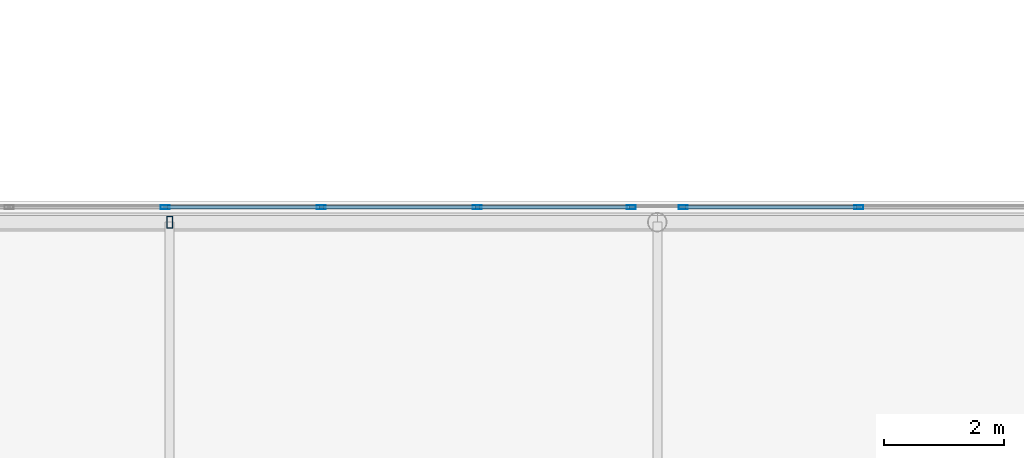
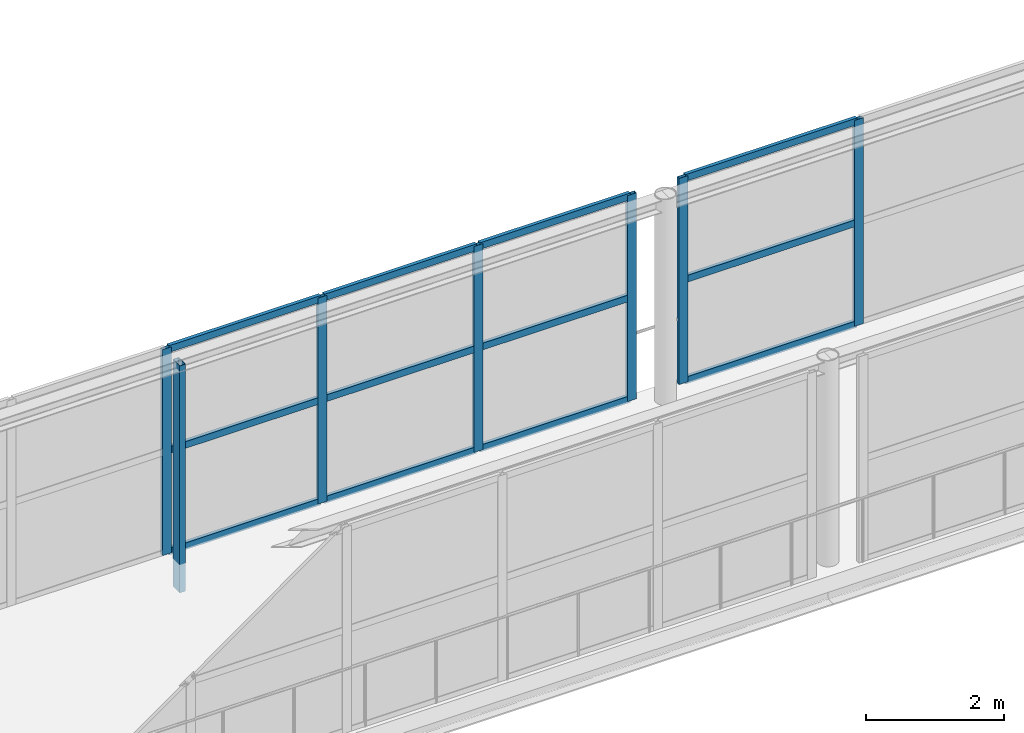
# One storey, part 74 of 175: 19 members, 2 elements without a shape of their own.
"""IFC4 building model written with IfcOpenShell, lengths in metres."""

from ifc_helpers import new_model, si_unit, direction, frame, origin, origin_2d, place, context, subcontext, project, spatial, hollow_rectangle, extrude, material, layer, layer_set, material_profile, profile_set, type_object, element, aggregate, save


model = new_model("IFC4")

# Units and contexts
model_context = context("Model", 3, precision=1e-05, world=origin(), true_north=direction((0.0, 1.0)))
body_context = subcontext(model_context, "Body", "Model", "MODEL_VIEW")
ifc_project = project(units=[si_unit("LENGTHUNIT", "METRE"), si_unit("AREAUNIT", "SQUARE_METRE"), si_unit("VOLUMEUNIT", "CUBIC_METRE"), si_unit("PLANEANGLEUNIT", "RADIAN"), si_unit("MASSUNIT", "GRAM", prefix="KILO")], contexts=[model_context])

# Site, building, storey
site_placement = place(None, origin())
site = spatial("IfcSite", under=ifc_project, at=site_placement, CompositionType="ELEMENT")
building_placement = place(site_placement, origin())
building = spatial("IfcBuilding", under=site, at=building_placement, Name="Zizhar Promenade General Hospital", CompositionType="ELEMENT")
storey_placement = place(building_placement, frame((0.0, 0.0, 4.800048828125)))
storey = spatial("IfcBuildingStorey", under=building, at=storey_placement, Name="L01", CompositionType="ELEMENT", Elevation=4.800048828125)

# Curtain wall, members
ifc_material_1 = material(Name="Anodised aluminium 6063-T6 and low-E glass", Category="aluminium")
ifc_layer = layer(ifc_material_1, 0.159912109375)
ifc_layer_set = layer_set([ifc_layer], Name="Anodised aluminium 6063-T6 and low-E glass")
curtain_wall_type = type_object("IfcCurtainWallType", Name="CW-SKY-GLZ", PredefinedType="NOTDEFINED", material=ifc_layer_set)
curtain_wall_1_placement = place(storey_placement, origin())
curtain_wall_1 = element("IfcCurtainWall", 1, at=curtain_wall_1_placement, inside=storey, type_object=curtain_wall_type, Name="Courtyard Clinical Skybridge Level L01 North Glazing 1", PredefinedType="NOTDEFINED")
ifc_material_2 = material(Name="Anodised aluminium 6063-T6", Category="aluminium")
ifc_material_profile_1 = material_profile(ifc_material_2, hollow_rectangle(XDim=0.06005859375, YDim=0.14990234375, WallThickness=0.00390625, at=origin_2d()))
ifc_profile_set_1 = profile_set([ifc_material_profile_1], Name="Anodised aluminium 6063-T6")
member_type_1 = type_object("IfcMemberType", Name="CWM-ALU-150x60", PredefinedType="MULLION", material=ifc_profile_set_1)
member_1_placement = place(storey_placement, frame((77.60009765625, 65.89990234375, 0.0), z_axis=(0.0, 0.0, 1.0), x_axis=(0.0, 1.0, 0.0)))
member_1 = element("IfcMember", 2, at=member_1_placement, type_object=member_type_1, Name="CW-15 mullion 3", PredefinedType="MULLION", context=body_context, shape_type="SweptSolid", body=[
    extrude(hollow_rectangle(XDim=0.06005859375, YDim=0.14990234375, WallThickness=0.00390625, at=origin_2d()), origin(), (0.0, 0.0, 1.0), 3.639892578125),
])
member_2_placement = place(storey_placement, frame((80.199951171875, 65.89990234375, 0.0), z_axis=(0.0, 0.0, 1.0), x_axis=(0.0, 1.0, 0.0)))
member_2 = element("IfcMember", 3, at=member_2_placement, type_object=member_type_1, Name="CW-15 mullion 4", PredefinedType="MULLION", context=body_context, shape_type="SweptSolid", body=[
    extrude(hollow_rectangle(XDim=0.06005859375, YDim=0.14990234375, WallThickness=0.00390625, at=origin_2d()), origin(), (0.0, 0.0, 1.0), 3.639892578125),
])
member_3_placement = place(storey_placement, frame((82.800048828125, 65.89990234375, 0.0), z_axis=(0.0, 0.0, 1.0), x_axis=(0.0, 1.0, 0.0)))
member_3 = element("IfcMember", 4, at=member_3_placement, type_object=member_type_1, Name="CW-15 mullion 5", PredefinedType="MULLION", context=body_context, shape_type="SweptSolid", body=[
    extrude(hollow_rectangle(XDim=0.06005859375, YDim=0.14990234375, WallThickness=0.00390625, at=origin_2d()), origin(), (0.0, 0.0, 1.0), 3.639892578125),
])
member_4_placement = place(storey_placement, frame((85.3701171875, 65.89990234375, 0.0), z_axis=(0.0, 0.0, 1.0), x_axis=(0.0, 1.0, 0.0)))
member_4 = element("IfcMember", 5, at=member_4_placement, type_object=member_type_1, Name="CW-15 mullion 6", PredefinedType="MULLION", context=body_context, shape_type="SweptSolid", body=[
    extrude(hollow_rectangle(XDim=0.06005859375, YDim=0.14990234375, WallThickness=0.00390625, at=origin_2d()), origin(), (0.0, 0.0, 1.0), 3.639892578125),
])

curtain_wall_2_placement = place(storey_placement, origin())
curtain_wall_2 = element("IfcCurtainWall", 6, at=curtain_wall_2_placement, inside=storey, type_object=curtain_wall_type, Name="Courtyard Clinical Skybridge Level L01 North Glazing 2", PredefinedType="NOTDEFINED")
member_5_placement = place(storey_placement, frame((86.22998046875, 65.89990234375, 0.0), z_axis=(0.0, 0.0, 1.0), x_axis=(0.0, 1.0, 0.0)))
member_5 = element("IfcMember", 7, at=member_5_placement, type_object=member_type_1, Name="CW-15 mullion 1", PredefinedType="MULLION", context=body_context, shape_type="SweptSolid", body=[
    extrude(hollow_rectangle(XDim=0.06005859375, YDim=0.14990234375, WallThickness=0.00390625, at=origin_2d()), origin(), (0.0, 0.0, 1.0), 3.639892578125),
])
member_6_placement = place(storey_placement, frame((89.159912109375, 65.89990234375, 0.0), z_axis=(0.0, 0.0, 1.0), x_axis=(0.0, 1.0, 0.0)))
member_6 = element("IfcMember", 8, at=member_6_placement, type_object=member_type_1, Name="CW-15 mullion 2", PredefinedType="MULLION", context=body_context, shape_type="SweptSolid", body=[
    extrude(hollow_rectangle(XDim=0.06005859375, YDim=0.14990234375, WallThickness=0.00390625, at=origin_2d()), origin(), (0.0, 0.0, 1.0), 3.639892578125),
])

# Member
ifc_material_3 = material(Name="Anodised aluminium 6063-T6", Category="aluminium")
ifc_material_profile_2 = material_profile(ifc_material_3, hollow_rectangle(XDim=0.06005859375, YDim=0.1201171875, WallThickness=0.00390625, at=origin_2d()))
ifc_profile_set_2 = profile_set([ifc_material_profile_2], Name="Anodised aluminium 6063-T6")
member_type_2 = type_object("IfcMemberType", Name="CWT-ALU-120x60", PredefinedType="USERDEFINED", material=ifc_profile_set_2)
member_7_placement = place(storey_placement, frame((77.6298828125, 65.89990234375, 0.030029296875), z_axis=(1.0, 0.0, 0.0), x_axis=(0.0, 1.0, 0.0)))
member_7 = element("IfcMember", 9, at=member_7_placement, type_object=member_type_2, Name="CW-15 transom 3.1", ObjectType="TRANSOM", PredefinedType="USERDEFINED", context=body_context, shape_type="SweptSolid", body=[
    extrude(hollow_rectangle(XDim=0.06005859375, YDim=0.1201171875, WallThickness=0.00390625, at=origin_2d()), origin(), (0.0, 0.0, 1.0), 2.5400390625),
])

member_8_placement = place(storey_placement, frame((77.6298828125, 65.89990234375, 1.820068359375), z_axis=(1.0, 0.0, 0.0), x_axis=(0.0, 1.0, 0.0)))
member_8 = element("IfcMember", 10, at=member_8_placement, type_object=member_type_2, Name="CW-15 transom 3.2", ObjectType="TRANSOM", PredefinedType="USERDEFINED", context=body_context, shape_type="SweptSolid", body=[
    extrude(hollow_rectangle(XDim=0.06005859375, YDim=0.1201171875, WallThickness=0.00390625, at=origin_2d()), origin(), (0.0, 0.0, 1.0), 2.5400390625),
])

member_9_placement = place(storey_placement, frame((77.6298828125, 65.89990234375, 3.60986328125), z_axis=(1.0, 0.0, 0.0), x_axis=(0.0, 1.0, 0.0)))
member_9 = element("IfcMember", 11, at=member_9_placement, type_object=member_type_2, Name="CW-15 transom 3.3", ObjectType="TRANSOM", PredefinedType="USERDEFINED", context=body_context, shape_type="SweptSolid", body=[
    extrude(hollow_rectangle(XDim=0.06005859375, YDim=0.1201171875, WallThickness=0.00390625, at=origin_2d()), origin(), (0.0, 0.0, 1.0), 2.5400390625),
])

member_10_placement = place(storey_placement, frame((80.22998046875, 65.89990234375, 0.030029296875), z_axis=(1.0, 0.0, 0.0), x_axis=(0.0, 1.0, 0.0)))
member_10 = element("IfcMember", 12, at=member_10_placement, type_object=member_type_2, Name="CW-15 transom 4.1", ObjectType="TRANSOM", PredefinedType="USERDEFINED", context=body_context, shape_type="SweptSolid", body=[
    extrude(hollow_rectangle(XDim=0.06005859375, YDim=0.1201171875, WallThickness=0.00390625, at=origin_2d()), origin(), (0.0, 0.0, 1.0), 2.5400390625),
])

member_11_placement = place(storey_placement, frame((80.22998046875, 65.89990234375, 1.820068359375), z_axis=(1.0, 0.0, 0.0), x_axis=(0.0, 1.0, 0.0)))
member_11 = element("IfcMember", 13, at=member_11_placement, type_object=member_type_2, Name="CW-15 transom 4.2", ObjectType="TRANSOM", PredefinedType="USERDEFINED", context=body_context, shape_type="SweptSolid", body=[
    extrude(hollow_rectangle(XDim=0.06005859375, YDim=0.1201171875, WallThickness=0.00390625, at=origin_2d()), origin(), (0.0, 0.0, 1.0), 2.5400390625),
])

member_12_placement = place(storey_placement, frame((80.22998046875, 65.89990234375, 3.60986328125), z_axis=(1.0, 0.0, 0.0), x_axis=(0.0, 1.0, 0.0)))
member_12 = element("IfcMember", 14, at=member_12_placement, type_object=member_type_2, Name="CW-15 transom 4.3", ObjectType="TRANSOM", PredefinedType="USERDEFINED", context=body_context, shape_type="SweptSolid", body=[
    extrude(hollow_rectangle(XDim=0.06005859375, YDim=0.1201171875, WallThickness=0.00390625, at=origin_2d()), origin(), (0.0, 0.0, 1.0), 2.5400390625),
])

member_13_placement = place(storey_placement, frame((82.830078125, 65.89990234375, 0.030029296875), z_axis=(1.0, 0.0, 0.0), x_axis=(0.0, 1.0, 0.0)))
member_13 = element("IfcMember", 15, at=member_13_placement, type_object=member_type_2, Name="CW-15 transom 5.1", ObjectType="TRANSOM", PredefinedType="USERDEFINED", context=body_context, shape_type="SweptSolid", body=[
    extrude(hollow_rectangle(XDim=0.06005859375, YDim=0.1201171875, WallThickness=0.00390625, at=origin_2d()), origin(), (0.0, 0.0, 1.0), 2.510009765625),
])

member_14_placement = place(storey_placement, frame((82.830078125, 65.89990234375, 1.820068359375), z_axis=(1.0, 0.0, 0.0), x_axis=(0.0, 1.0, 0.0)))
member_14 = element("IfcMember", 16, at=member_14_placement, type_object=member_type_2, Name="CW-15 transom 5.2", ObjectType="TRANSOM", PredefinedType="USERDEFINED", context=body_context, shape_type="SweptSolid", body=[
    extrude(hollow_rectangle(XDim=0.06005859375, YDim=0.1201171875, WallThickness=0.00390625, at=origin_2d()), origin(), (0.0, 0.0, 1.0), 2.510009765625),
])

member_15_placement = place(storey_placement, frame((82.830078125, 65.89990234375, 3.60986328125), z_axis=(1.0, 0.0, 0.0), x_axis=(0.0, 1.0, 0.0)))
member_15 = element("IfcMember", 17, at=member_15_placement, type_object=member_type_2, Name="CW-15 transom 5.3", ObjectType="TRANSOM", PredefinedType="USERDEFINED", context=body_context, shape_type="SweptSolid", body=[
    extrude(hollow_rectangle(XDim=0.06005859375, YDim=0.1201171875, WallThickness=0.00390625, at=origin_2d()), origin(), (0.0, 0.0, 1.0), 2.510009765625),
])

aggregate(curtain_wall_1, [member_1, member_2, member_3, member_4, member_7, member_8, member_9, member_10, member_11, member_12, member_13, member_14, member_15])

member_16_placement = place(storey_placement, frame((86.260009765625, 65.89990234375, 0.030029296875), z_axis=(1.0, 0.0, 0.0), x_axis=(0.0, 1.0, 0.0)))
member_16 = element("IfcMember", 18, at=member_16_placement, type_object=member_type_2, Name="CW-15 transom 1.1", ObjectType="TRANSOM", PredefinedType="USERDEFINED", context=body_context, shape_type="SweptSolid", body=[
    extrude(hollow_rectangle(XDim=0.06005859375, YDim=0.1201171875, WallThickness=0.00390625, at=origin_2d()), origin(), (0.0, 0.0, 1.0), 2.869873046875),
])

member_17_placement = place(storey_placement, frame((86.260009765625, 65.89990234375, 1.820068359375), z_axis=(1.0, 0.0, 0.0), x_axis=(0.0, 1.0, 0.0)))
member_17 = element("IfcMember", 19, at=member_17_placement, type_object=member_type_2, Name="CW-15 transom 1.2", ObjectType="TRANSOM", PredefinedType="USERDEFINED", context=body_context, shape_type="SweptSolid", body=[
    extrude(hollow_rectangle(XDim=0.06005859375, YDim=0.1201171875, WallThickness=0.00390625, at=origin_2d()), origin(), (0.0, 0.0, 1.0), 2.869873046875),
])

member_18_placement = place(storey_placement, frame((86.260009765625, 65.89990234375, 3.60986328125), z_axis=(1.0, 0.0, 0.0), x_axis=(0.0, 1.0, 0.0)))
member_18 = element("IfcMember", 20, at=member_18_placement, type_object=member_type_2, Name="CW-15 transom 1.3", ObjectType="TRANSOM", PredefinedType="USERDEFINED", context=body_context, shape_type="SweptSolid", body=[
    extrude(hollow_rectangle(XDim=0.06005859375, YDim=0.1201171875, WallThickness=0.00390625, at=origin_2d()), origin(), (0.0, 0.0, 1.0), 2.869873046875),
])

aggregate(curtain_wall_2, [member_5, member_6, member_16, member_17, member_18])

ifc_material_4 = material(Name="Steel S355", Category="steel")
ifc_material_profile_3 = material_profile(ifc_material_4, hollow_rectangle(XDim=0.10009765625, YDim=0.199951171875, WallThickness=0.008056640625, at=origin_2d()))
ifc_profile_set_3 = profile_set([ifc_material_profile_3], Name="Steel S355")
member_type_3 = type_object("IfcMemberType", Name="MEM-STRUT-RHS200", PredefinedType="STRUT", material=ifc_profile_set_3)
member_19_placement = place(storey_placement, frame((77.675048828125, 65.64990234375, -0.5), z_axis=(0.0, 0.0, 1.0), x_axis=(1.0, 0.0, 0.0)))
element("IfcMember", 21, at=member_19_placement, inside=storey, type_object=member_type_3, Name="SB-1 Vierendeel Post 1N", PredefinedType="STRUT", context=body_context, shape_type="SweptSolid", body=[
    extrude(hollow_rectangle(XDim=0.10009765625, YDim=0.199951171875, WallThickness=0.008056640625, at=origin_2d()), origin(), (0.0, 0.0, 1.0), 4.010009765625),
])

save(model, "model.ifc")
